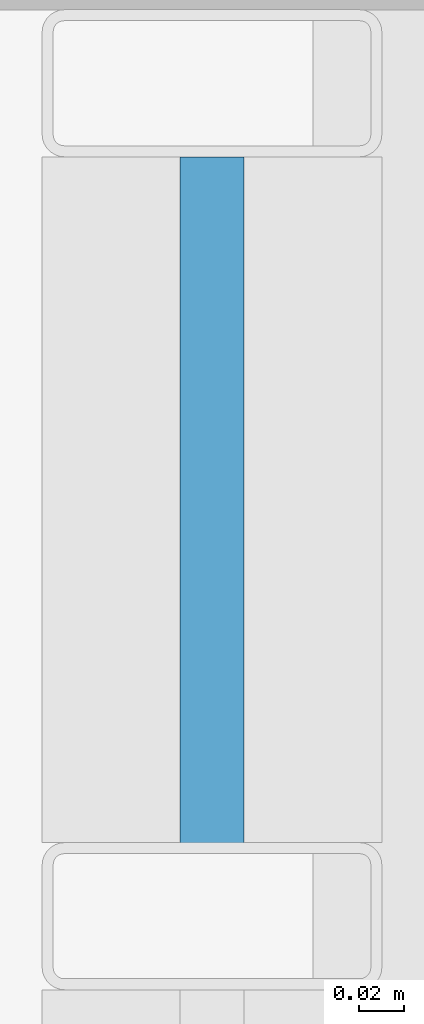
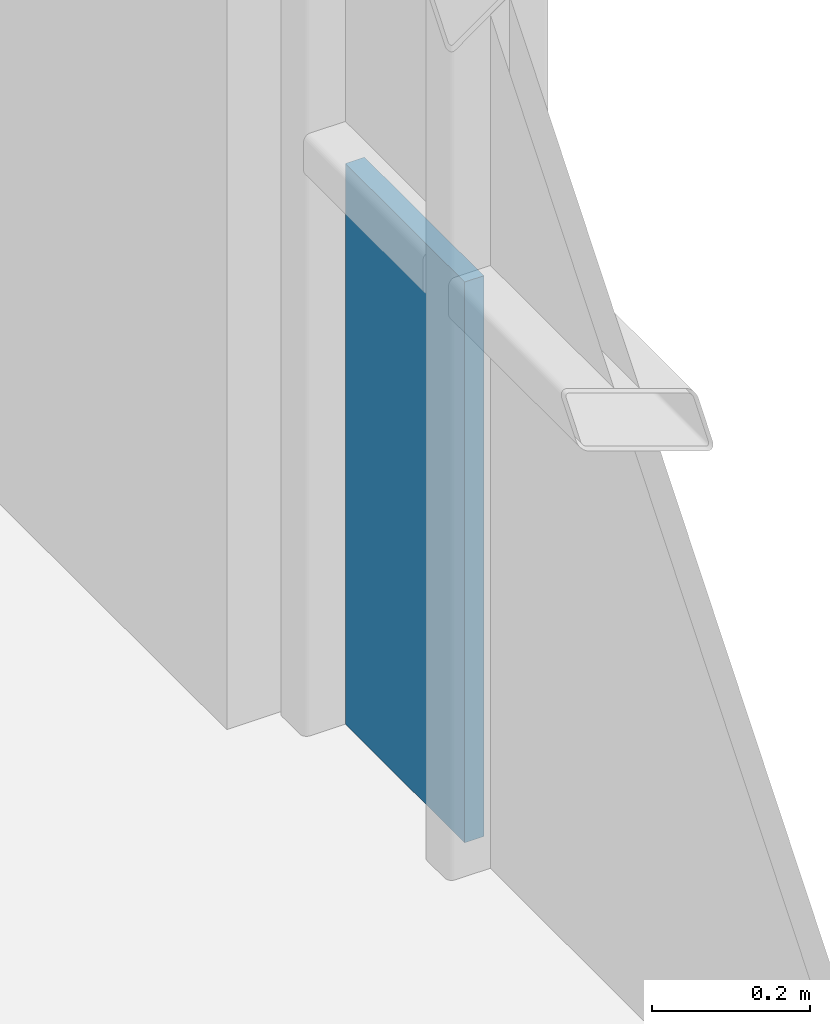
# One storey, part 30 of 41: 1 plate, 1 element without a shape of its own.
"""IFC4 building model written with IfcOpenShell, lengths in metres."""

from ifc_helpers import new_model, si_unit, direction, frame, origin, origin_2d, place, context, subcontext, project, spatial, rectangle, extrude, material, layer, layer_set, type_object, element, aggregate, save


model = new_model("IFC4")

# Units and contexts
model_context = context("Model", 3, precision=1e-05, world=origin(), true_north=direction((0.0, 1.0)))
body_context = subcontext(model_context, "Body", "Model", "MODEL_VIEW")
ifc_project = project(units=[si_unit("LENGTHUNIT", "METRE"), si_unit("AREAUNIT", "SQUARE_METRE"), si_unit("VOLUMEUNIT", "CUBIC_METRE"), si_unit("PLANEANGLEUNIT", "RADIAN"), si_unit("MASSUNIT", "GRAM", prefix="KILO")], contexts=[model_context])

# Site, building, storey
site_placement = place(None, origin())
site = spatial("IfcSite", under=ifc_project, at=site_placement, CompositionType="ELEMENT")
building_placement = place(site_placement, origin())
building = spatial("IfcBuilding", under=site, at=building_placement, Name="Brevholm Reach", CompositionType="ELEMENT")
storey_placement = place(building_placement, frame((0.0, 0.0, 55.89990234375)))
storey = spatial("IfcBuildingStorey", under=building, at=storey_placement, Name="L15", CompositionType="ELEMENT", Elevation=55.89990234375)

# Curtain wall, plate
ifc_material_1 = material(Name="Dark Anodised Aluminium 6063-T6 and Solar-Control Glass", Category="aluminium")
ifc_layer_1 = layer(ifc_material_1, 0.14990234375)
ifc_layer_set_1 = layer_set([ifc_layer_1], Name="Dark Anodised Aluminium 6063-T6 and Solar-Control Glass")
curtain_wall_type = type_object("IfcCurtainWallType", Name="CW-01", PredefinedType="NOTDEFINED", material=ifc_layer_set_1)
curtain_wall_placement = place(storey_placement, origin())
curtain_wall = element("IfcCurtainWall", 1, at=curtain_wall_placement, inside=storey, type_object=curtain_wall_type, Name="L15 Curtain Wall CW-01", PredefinedType="NOTDEFINED")
ifc_material_2 = material(Name="Dark Solar-Control Double-Glazed IGU Glass", Category="glass")
ifc_layer_2 = layer(ifc_material_2, 0.028076171875)
ifc_layer_set_2 = layer_set([ifc_layer_2], Name="Dark Solar-Control Double-Glazed IGU Glass")
plate_type = type_object("IfcPlateType", Name="CWP-GLZ-28", PredefinedType="CURTAIN_PANEL", material=ifc_layer_set_2)
plate_placement = place(storey_placement, frame((59.85009765625, 22.733642578125, 0.0), z_axis=(0.0, 0.0, 1.0), x_axis=(0.0, 1.0, 0.0)))
plate = element("IfcPlate", 2, at=plate_placement, type_object=plate_type, Name="CP-01 Glazing Panel 5.1", PredefinedType="CURTAIN_PANEL", context=body_context, shape_type="SweptSolid", body=[
    extrude(rectangle(XDim=0.302490234375, YDim=0.028076171875, at=origin_2d()), origin(), (0.0, 0.0, 1.0), 0.867431640625),
])
aggregate(curtain_wall, [plate])

save(model, "model.ifc")
